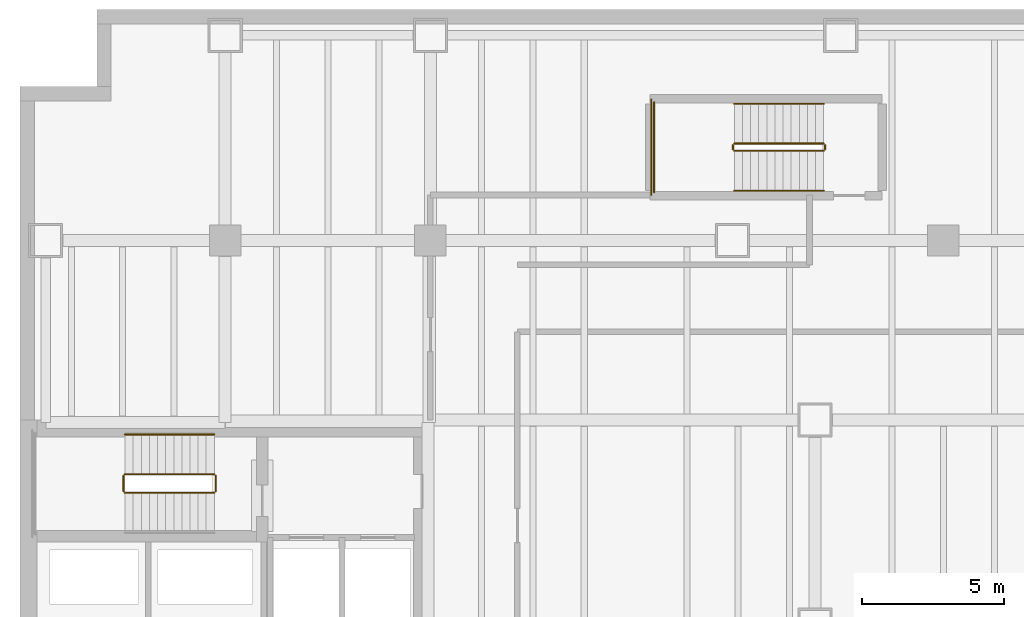
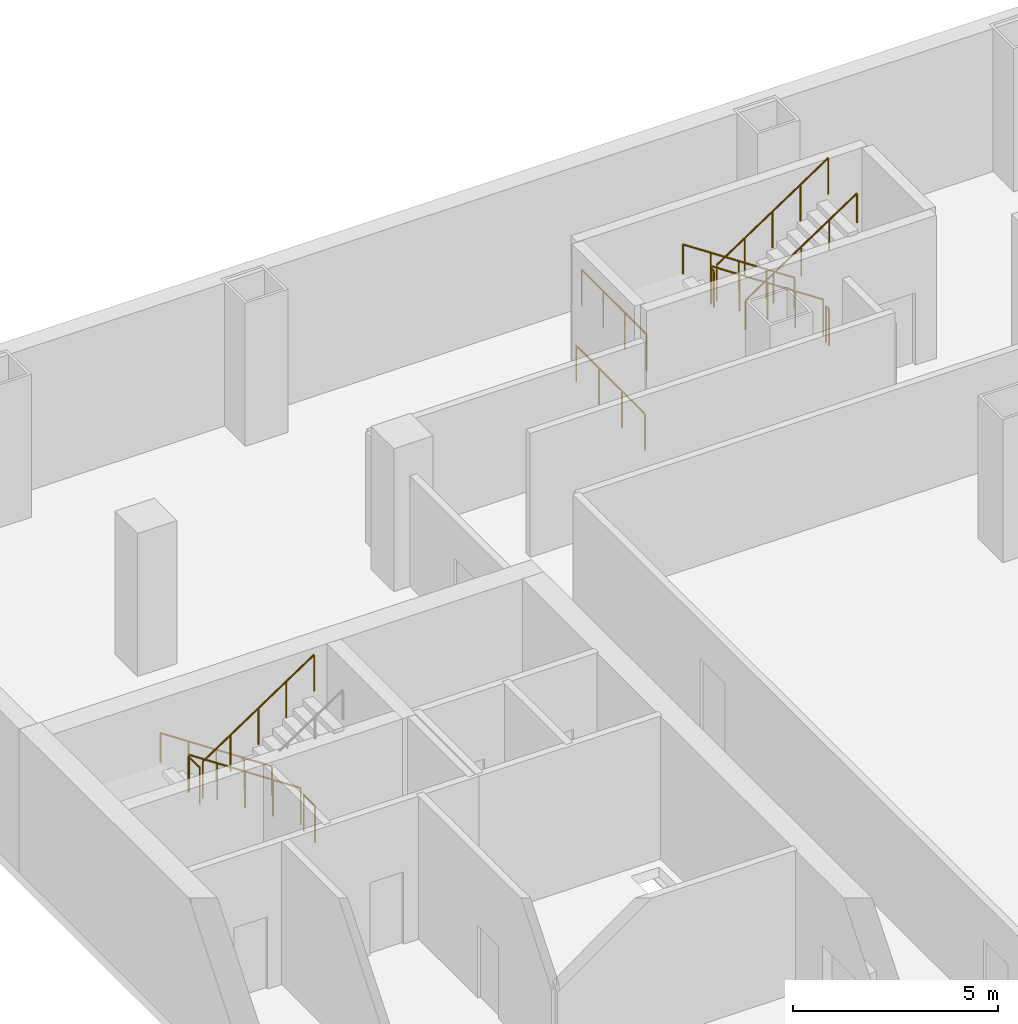
# One storey, part 11 of 11: 13 railings.
"""IFC4 building model written with IfcOpenShell, lengths in metres."""

import ifcopenshell
import ifcopenshell.guid

model = None  # the IFC model being written
_history = None  # IfcOwnerHistory: only IFC2X3 demands one
_inside = {}  # id of a spatial element -> (the spatial element, [elements in it])
_under = {}  # id of a project, library or spatial element -> (it, [spatial elements below it])
_declared = {}  # id of a project -> (the project, [libraries it declares])
_typed = {}  # id of a type object -> (the type object, [elements of that type])
_made_of = {}  # id of a material, layer set ... -> (it, [elements and type objects made of it])


def new_model(schema):
    """Start an empty IFC model of exactly this schema.

    Asked for "IFC4X3", IfcOpenShell would pick the latest addendum, in which some entities
    have other attributes; the version numbers below select the first issue.
    IFC2X3 requires an IfcOwnerHistory on every rooted entity: one is made here for all.
    """
    global model, _history
    if schema == "IFC4X3":
        model = ifcopenshell.file(schema_version=(4, 3, 0, 0))
    else:
        model = ifcopenshell.file(schema=schema)
    _inside.clear()
    _under.clear()
    _declared.clear()
    _typed.clear()
    _made_of.clear()
    _history = None
    if model.schema == "IFC2X3":
        org = make("IfcOrganization", Name="unknown")
        user = make(
            "IfcPersonAndOrganization",
            ThePerson=make("IfcPerson", FamilyName="unknown"),
            TheOrganization=org,
        )
        app = make(
            "IfcApplication",
            ApplicationDeveloper=org,
            Version="unknown",
            ApplicationFullName="unknown",
            ApplicationIdentifier="unknown",
        )
        _history = make(
            "IfcOwnerHistory",
            OwningUser=user,
            OwningApplication=app,
            ChangeAction="ADDED",
            CreationDate=0,
        )
    return model


def make(cls, **values):
    """One entity of the class cls with the attributes given. An attribute that is None is left unset."""
    return model.create_entity(
        cls, **{name: value for name, value in values.items() if value is not None}
    )


def rooted(cls, **values):
    """An entity with a GlobalId (a new one), such as an element, a storey or a relation."""
    return make(cls, GlobalId=ifcopenshell.guid.new(), OwnerHistory=_history, **values)


def si_unit(unit_type, name, prefix=None):
    """IfcSIUnit, for example si_unit("LENGTHUNIT", "METRE", prefix="MILLI")."""
    return make("IfcSIUnit", UnitType=unit_type, Prefix=prefix, Name=name)


def assignment(units):
    """IfcUnitAssignment: the units of a project."""
    return None if units is None else make("IfcUnitAssignment", Units=units)


def point(xyz):
    """IfcCartesianPoint."""
    return None if xyz is None else make("IfcCartesianPoint", Coordinates=xyz)


def direction(xyz):
    """IfcDirection."""
    return None if xyz is None else make("IfcDirection", DirectionRatios=xyz)


def frame(location, z_axis=None, x_axis=None):
    """IfcAxis2Placement3D, a coordinate frame: its origin and axes. An axis left out is left unset."""
    return make(
        "IfcAxis2Placement3D",
        Location=point(location),
        Axis=direction(z_axis),
        RefDirection=direction(x_axis),
    )


def frame_2d(location, x_axis=None):
    """IfcAxis2Placement2D, a coordinate frame in the plane: its origin and x axis."""
    return make(
        "IfcAxis2Placement2D", Location=point(location), RefDirection=direction(x_axis)
    )


def origin():
    """The frame at (0, 0, 0) with its axes left unset."""
    return frame((0.0, 0.0, 0.0))


def origin_2d():
    """The frame at (0, 0) in the plane with its x axis left unset."""
    return frame_2d((0.0, 0.0))


def place(relative_to, where):
    """IfcLocalPlacement: puts the frame where relative to a parent placement (None: the world)."""
    return make(
        "IfcLocalPlacement", PlacementRelTo=relative_to, RelativePlacement=where
    )


def context(
    kind, dimensions, precision=None, world=None, true_north=None, identifier=None
):
    """IfcGeometricRepresentationContext, for example the 3D "Model" context."""
    return make(
        "IfcGeometricRepresentationContext",
        ContextIdentifier=identifier,
        ContextType=kind,
        CoordinateSpaceDimension=dimensions,
        Precision=precision,
        WorldCoordinateSystem=world,
        TrueNorth=true_north,
    )


def subcontext(parent, identifier, kind, view, scale=None):
    """IfcGeometricRepresentationSubContext, for example "Body" below "Model"."""
    return make(
        "IfcGeometricRepresentationSubContext",
        ContextIdentifier=identifier,
        ContextType=kind,
        ParentContext=parent,
        TargetScale=scale,
        TargetView=view,
    )


def project(units=None, contexts=None):
    """IfcProject with its units and contexts."""
    return rooted(
        "IfcProject",
        Name="project",
        RepresentationContexts=contexts,
        UnitsInContext=assignment(units),
    )


def spatial(cls, under=None, at=None, **own):
    """A site, building, storey or space (cls), placed at a placement, below another one or the project."""
    s = rooted(cls, ObjectPlacement=at, **own)
    if under is not None:
        _under.setdefault(under.id(), (under, []))[1].append(s)
    return s


def profile(cls, at=None, kind="AREA", **sizes):
    """A parametric profile (cls). Its sizes go by their IFC names, for example OverallWidth=200.0."""
    return make(cls, ProfileType=kind, Position=at, **sizes)


def circle(**sizes):
    """IfcCircleProfileDef."""
    return profile("IfcCircleProfileDef", **sizes)


def extrude(swept, where, along, depth):
    """IfcExtrudedAreaSolid: the profile swept, set in the frame where, extruded along a direction by depth."""
    return make(
        "IfcExtrudedAreaSolid",
        SweptArea=swept,
        Position=where,
        ExtrudedDirection=direction(along),
        Depth=depth,
    )


def shape(context_of_items, identifier, shape_type, items):
    """IfcShapeRepresentation: the items that make up one representation, for example the "Body"."""
    return make(
        "IfcShapeRepresentation",
        ContextOfItems=context_of_items,
        RepresentationIdentifier=identifier,
        RepresentationType=shape_type,
        Items=items,
    )


def material(Name=None, Category=None):
    """IfcMaterial."""
    return make("IfcMaterial", Name=Name, Category=Category)


def made_of(thing, what):
    """Note that an element or type object is made of a material, layer set ...; save() writes the relation."""
    if what is not None:
        _made_of.setdefault(what.id(), (what, []))[1].append(thing)
    return thing


def type_object(cls, material=None, **own):
    """A type object (cls), such as IfcWallType, which elements share."""
    return made_of(rooted(cls, **own), material)


def element(
    cls,
    number,
    at=None,
    inside=None,
    cuts=None,
    type_object=None,
    material=None,
    context=None,
    identifier="Body",
    shape_type=None,
    held_by="IfcProductDefinitionShape",
    body=None,
    shapes=None,
    **own,
):
    """One element of the class cls, such as IfcWall. Its Tag is "e" and its number.

    at: its placement. inside: the storey or other place that contains it. cuts: it is an
    opening in that element (IfcRelVoidsElement). A single representation is given by context,
    identifier, shape_type and body (its items); several are given by shapes. held_by: the class
    of the entity that holds the representations. save() writes the other relations.
    """
    e = rooted(cls, Tag="e%d" % number, ObjectPlacement=at, **own)
    if body is not None:
        shapes = [shape(context, identifier, shape_type, body)]
    if shapes is not None:
        e.Representation = make(held_by, Representations=shapes)
    if inside is not None:
        _inside.setdefault(inside.id(), (inside, []))[1].append(e)
    if cuts is not None:
        rooted(
            "IfcRelVoidsElement", RelatingBuildingElement=cuts, RelatedOpeningElement=e
        )
    if type_object is not None:
        _typed.setdefault(type_object.id(), (type_object, []))[1].append(e)
    return made_of(e, material)


def aggregate(whole, parts):
    """IfcRelAggregates: a whole, such as a stair, and the parts it consists of."""
    return rooted("IfcRelAggregates", RelatingObject=whole, RelatedObjects=parts)


def save(model, path):
    """Write the relations noted so far, then the file.

    IfcRelAggregates (storeys below a building ...), IfcRelContainedInSpatialStructure (elements
    in a storey), IfcRelDefinesByType, IfcRelAssociatesMaterial and IfcRelDeclares: one each for
    every whole, place, type object, material and project.
    """
    for whole, parts in _under.values():
        aggregate(whole, parts)
    for where, things in _inside.values():
        rooted(
            "IfcRelContainedInSpatialStructure",
            RelatedElements=things,
            RelatingStructure=where,
        )
    for kind, things in _typed.values():
        rooted("IfcRelDefinesByType", RelatedObjects=things, RelatingType=kind)
    for what, things in _made_of.values():
        rooted("IfcRelAssociatesMaterial", RelatedObjects=things, RelatingMaterial=what)
    for by, libraries in _declared.values():
        rooted("IfcRelDeclares", RelatingContext=by, RelatedDefinitions=libraries)
    model.write(path)


model = new_model("IFC4")

# Units and contexts
model_context = context("Model", 3, precision=1e-05, world=origin(), true_north=direction((0.0, 1.0)))
body_context = subcontext(model_context, "Body", "Model", "MODEL_VIEW")
ifc_project = project(units=[si_unit("LENGTHUNIT", "METRE"), si_unit("AREAUNIT", "SQUARE_METRE"), si_unit("VOLUMEUNIT", "CUBIC_METRE"), si_unit("PLANEANGLEUNIT", "RADIAN"), si_unit("MASSUNIT", "GRAM", prefix="KILO")], contexts=[model_context])

# Site, building, storey
site_placement = place(None, origin())
site = spatial("IfcSite", under=ifc_project, at=site_placement, CompositionType="ELEMENT")
building_placement = place(site_placement, origin())
building = spatial("IfcBuilding", under=site, at=building_placement, Name="Cobrela Telecom Tower", CompositionType="ELEMENT")
storey_placement = place(building_placement, frame((0.0, 0.0, -4.550048828125)))
storey = spatial("IfcBuildingStorey", under=building, at=storey_placement, Name="B1", CompositionType="ELEMENT", Elevation=-4.550048828125)

# Railings
ifc_material = material(Name="Steel ASTM A36", Category="steel")
railing_type_1 = type_object("IfcRailingType", Name="RAIL-GUARD-1100", PredefinedType="GUARDRAIL", material=ifc_material)
railing_1_placement = place(storey_placement, frame((6.820068359375, 34.10009765625, 0.189697265625)))
element("IfcRailing", 1, at=railing_1_placement, inside=storey, type_object=railing_type_1, Name="B1 ST1 stair guard 1", PredefinedType="GUARDRAIL", context=body_context, shape_type="SweptSolid", body=[
    extrude(circle(Radius=0.02392578125, at=origin_2d()), frame((0.0, 0.0, 1.076171875), z_axis=(-0.832608492644, 0.0, 0.553861984593), x_axis=(0.0, -1.0, 0.0)), (0.0, 0.0, 1.0), 3.765380859375),
    extrude(circle(Radius=0.02099609375, at=origin_2d()), origin(), (0.0, 0.0, 1.0), 1.052001953125),
    extrude(circle(Radius=0.02099609375, at=origin_2d()), frame((-0.78369140625, 0.0, 0.521484375)), (0.0, 0.0, 1.0), 1.052001953125),
    extrude(circle(Radius=0.02099609375, at=origin_2d()), frame((-1.5673828125, 0.0, 1.042724609375)), (0.0, 0.0, 1.0), 1.052001953125),
    extrude(circle(Radius=0.02099609375, at=origin_2d()), frame((-2.351318359375, 0.0, 1.56396484375)), (0.0, 0.0, 1.0), 1.052001953125),
    extrude(circle(Radius=0.02099609375, at=origin_2d()), frame((-3.135009765625, 0.0, 2.08544921875)), (0.0, 0.0, 1.0), 1.052001953125),
])
railing_2_placement = place(storey_placement, frame((3.635009765625, 34.050048828125, 2.275146484375)))
element("IfcRailing", 2, at=railing_2_placement, inside=storey, type_object=railing_type_1, Name="B1 ST1 stair guard 2", PredefinedType="GUARDRAIL", context=body_context, shape_type="SweptSolid", body=[
    extrude(circle(Radius=0.02392578125, at=origin_2d()), frame((0.0, 0.0, 1.076171875), z_axis=(0.0, -1.0, 0.0), x_axis=(1.0, 0.0, 0.0)), (0.0, 0.0, 1.0), 0.550048828125),
    extrude(circle(Radius=0.02099609375, at=origin_2d()), origin(), (0.0, 0.0, 1.0), 1.052001953125),
    extrude(circle(Radius=0.02099609375, at=origin_2d()), frame((0.0, -0.550048828125, 0.0)), (0.0, 0.0, 1.0), 1.052001953125),
])
railing_3_placement = place(storey_placement, frame((3.68505859375, 33.449951171875, 2.464599609375)))
element("IfcRailing", 3, at=railing_3_placement, inside=storey, type_object=railing_type_1, Name="B1 ST1 stair guard 4", PredefinedType="GUARDRAIL", context=body_context, shape_type="SweptSolid", body=[
    extrude(circle(Radius=0.02392578125, at=origin_2d()), frame((0.0, 0.0, 1.076171875), z_axis=(0.832608492644, 0.0, 0.553861984593), x_axis=(0.0, 1.0, 0.0)), (0.0, 0.0, 1.0), 3.765380859375),
    extrude(circle(Radius=0.02099609375, at=origin_2d()), origin(), (0.0, 0.0, 1.0), 1.052001953125),
    extrude(circle(Radius=0.02099609375, at=origin_2d()), frame((0.78369140625, 0.0, 0.521484375)), (0.0, 0.0, 1.0), 1.052001953125),
    extrude(circle(Radius=0.02099609375, at=origin_2d()), frame((1.5673828125, 0.0, 1.042724609375)), (0.0, 0.0, 1.0), 1.052001953125),
    extrude(circle(Radius=0.02099609375, at=origin_2d()), frame((2.351318359375, 0.0, 1.56396484375)), (0.0, 0.0, 1.0), 1.052001953125),
    extrude(circle(Radius=0.02099609375, at=origin_2d()), frame((3.135009765625, 0.0, 2.08544921875)), (0.0, 0.0, 1.0), 1.052001953125),
])
railing_4_placement = place(storey_placement, frame((6.8701171875, 34.050048828125, 0.0)))
element("IfcRailing", 4, at=railing_4_placement, inside=storey, type_object=railing_type_1, Name="B1 ST1 stair guard 5", PredefinedType="GUARDRAIL", context=body_context, shape_type="SweptSolid", body=[
    extrude(circle(Radius=0.02392578125, at=origin_2d()), frame((0.0, 0.0, 1.076171875), z_axis=(0.0, -1.0, 0.0), x_axis=(1.0, 0.0, 0.0)), (0.0, 0.0, 1.0), 0.550048828125),
    extrude(circle(Radius=0.02099609375, at=origin_2d()), origin(), (0.0, 0.0, 1.0), 1.052001953125),
    extrude(circle(Radius=0.02099609375, at=origin_2d()), frame((0.0, -0.550048828125, 0.0)), (0.0, 0.0, 1.0), 1.052001953125),
])
railing_5_placement = place(storey_placement, frame((28.199951171875, 45.699951171875, 0.189697265625)))
element("IfcRailing", 5, at=railing_5_placement, inside=storey, type_object=railing_type_1, Name="B1 ST3 stair guard 1", PredefinedType="GUARDRAIL", context=body_context, shape_type="SweptSolid", body=[
    extrude(circle(Radius=0.02392578125, at=origin_2d()), frame((0.0, 0.0, 1.076171875), z_axis=(-0.832608492644, 0.0, 0.553861984593), x_axis=(0.0, -1.0, 0.0)), (0.0, 0.0, 1.0), 3.765380859375),
    extrude(circle(Radius=0.02099609375, at=origin_2d()), origin(), (0.0, 0.0, 1.0), 1.052001953125),
    extrude(circle(Radius=0.02099609375, at=origin_2d()), frame((-0.78369140625, 0.0, 0.521484375)), (0.0, 0.0, 1.0), 1.052001953125),
    extrude(circle(Radius=0.02099609375, at=origin_2d()), frame((-1.5673828125, 0.0, 1.042724609375)), (0.0, 0.0, 1.0), 1.052001953125),
    extrude(circle(Radius=0.02099609375, at=origin_2d()), frame((-2.351318359375, 0.0, 1.56396484375)), (0.0, 0.0, 1.0), 1.052001953125),
    extrude(circle(Radius=0.02099609375, at=origin_2d()), frame((-3.135009765625, 0.0, 2.08544921875)), (0.0, 0.0, 1.0), 1.052001953125),
])
railing_6_placement = place(storey_placement, frame((25.014892578125, 45.64990234375, 2.275146484375)))
element("IfcRailing", 6, at=railing_6_placement, inside=storey, type_object=railing_type_1, Name="B1 ST3 stair guard 2", PredefinedType="GUARDRAIL", context=body_context, shape_type="SweptSolid", body=[
    extrude(circle(Radius=0.02392578125, at=origin_2d()), frame((0.0, 0.0, 1.076171875), z_axis=(0.0, -1.0, 0.0), x_axis=(1.0, 0.0, 0.0)), (0.0, 0.0, 1.0), 0.14990234375),
    extrude(circle(Radius=0.02099609375, at=origin_2d()), origin(), (0.0, 0.0, 1.0), 1.052001953125),
    extrude(circle(Radius=0.02099609375, at=origin_2d()), frame((0.0, -0.14990234375, 0.0)), (0.0, 0.0, 1.0), 1.052001953125),
])
railing_7_placement = place(storey_placement, frame((22.25, 47.14990234375, 2.275146484375)))
element("IfcRailing", 7, at=railing_7_placement, inside=storey, type_object=railing_type_1, Name="B1 ST3 stair guard 3", PredefinedType="GUARDRAIL", context=body_context, shape_type="SweptSolid", body=[
    extrude(circle(Radius=0.02392578125, at=origin_2d()), frame((0.0, 0.0, 1.076171875), z_axis=(0.0, -1.0, 0.0), x_axis=(1.0, 0.0, 0.0)), (0.0, 0.0, 1.0), 3.14990234375),
    extrude(circle(Radius=0.02099609375, at=origin_2d()), origin(), (0.0, 0.0, 1.0), 1.052001953125),
    extrude(circle(Radius=0.02099609375, at=origin_2d()), frame((0.0, -1.050048828125, 0.0)), (0.0, 0.0, 1.0), 1.052001953125),
    extrude(circle(Radius=0.02099609375, at=origin_2d()), frame((0.0, -2.099853515625, 0.0)), (0.0, 0.0, 1.0), 1.052001953125),
    extrude(circle(Radius=0.02099609375, at=origin_2d()), frame((0.0, -3.14990234375, 0.0)), (0.0, 0.0, 1.0), 1.052001953125),
])
railing_8_placement = place(storey_placement, frame((25.06494140625, 45.449951171875, 2.464599609375)))
element("IfcRailing", 8, at=railing_8_placement, inside=storey, type_object=railing_type_1, Name="B1 ST3 stair guard 4", PredefinedType="GUARDRAIL", context=body_context, shape_type="SweptSolid", body=[
    extrude(circle(Radius=0.02392578125, at=origin_2d()), frame((0.0, 0.0, 1.076171875), z_axis=(0.832608492644, 0.0, 0.553861984593), x_axis=(0.0, 1.0, 0.0)), (0.0, 0.0, 1.0), 3.765380859375),
    extrude(circle(Radius=0.02099609375, at=origin_2d()), origin(), (0.0, 0.0, 1.0), 1.052001953125),
    extrude(circle(Radius=0.02099609375, at=origin_2d()), frame((0.78369140625, 0.0, 0.521484375)), (0.0, 0.0, 1.0), 1.052001953125),
    extrude(circle(Radius=0.02099609375, at=origin_2d()), frame((1.5673828125, 0.0, 1.042724609375)), (0.0, 0.0, 1.0), 1.052001953125),
    extrude(circle(Radius=0.02099609375, at=origin_2d()), frame((2.351318359375, 0.0, 1.56396484375)), (0.0, 0.0, 1.0), 1.052001953125),
    extrude(circle(Radius=0.02099609375, at=origin_2d()), frame((3.135009765625, 0.0, 2.08544921875)), (0.0, 0.0, 1.0), 1.052001953125),
])
railing_9_placement = place(storey_placement, frame((28.25, 45.64990234375, 0.0)))
element("IfcRailing", 9, at=railing_9_placement, inside=storey, type_object=railing_type_1, Name="B1 ST3 stair guard 5", PredefinedType="GUARDRAIL", context=body_context, shape_type="SweptSolid", body=[
    extrude(circle(Radius=0.02392578125, at=origin_2d()), frame((0.0, 0.0, 1.076171875), z_axis=(0.0, -1.0, 0.0), x_axis=(1.0, 0.0, 0.0)), (0.0, 0.0, 1.0), 0.14990234375),
    extrude(circle(Radius=0.02099609375, at=origin_2d()), origin(), (0.0, 0.0, 1.0), 1.052001953125),
    extrude(circle(Radius=0.02099609375, at=origin_2d()), frame((0.0, -0.14990234375, 0.0)), (0.0, 0.0, 1.0), 1.052001953125),
])
railing_10_placement = place(storey_placement, frame((22.14990234375, 47.25, 0.0)))
element("IfcRailing", 10, at=railing_10_placement, inside=storey, type_object=railing_type_1, Name="B1 ST3 stair guard 6", PredefinedType="GUARDRAIL", context=body_context, shape_type="SweptSolid", body=[
    extrude(circle(Radius=0.02392578125, at=origin_2d()), frame((0.0, 0.0, 1.076171875), z_axis=(0.0, -1.0, 0.0), x_axis=(1.0, 0.0, 0.0)), (0.0, 0.0, 1.0), 3.35009765625),
    extrude(circle(Radius=0.02099609375, at=origin_2d()), origin(), (0.0, 0.0, 1.0), 1.052001953125),
    extrude(circle(Radius=0.02099609375, at=origin_2d()), frame((0.0, -1.11669921875, 0.0)), (0.0, 0.0, 1.0), 1.052001953125),
    extrude(circle(Radius=0.02099609375, at=origin_2d()), frame((0.0, -2.2333984375, 0.0)), (0.0, 0.0, 1.0), 1.052001953125),
    extrude(circle(Radius=0.02099609375, at=origin_2d()), frame((0.0, -3.35009765625, 0.0)), (0.0, 0.0, 1.0), 1.052001953125),
])
railing_type_2 = type_object("IfcRailingType", Name="RAIL-HAND-920", PredefinedType="HANDRAIL", material=ifc_material)
for number, where, name in (
    (11, (6.820068359375, 35.5, 0.189697265625), "B1 ST1 stair handrail 1"),
    (12, (28.199951171875, 47.10009765625, 0.189697265625), "B1 ST3 stair handrail 1"),
):
    element("IfcRailing", number, at=place(storey_placement, frame(where)), inside=storey, type_object=railing_type_2, Name=name, PredefinedType="HANDRAIL", context=body_context, shape_type="SweptSolid", body=[
        extrude(circle(Radius=0.02392578125, at=origin_2d()), frame((0.0, 0.0, 0.8759765625), z_axis=(-0.832608492644, 0.0, 0.553861984593), x_axis=(0.0, -1.0, 0.0)), (0.0, 0.0, 1.0), 3.765380859375),
        extrude(circle(Radius=0.02099609375, at=origin_2d()), origin(), (0.0, 0.0, 1.0), 0.851806640625),
        extrude(circle(Radius=0.02099609375, at=origin_2d()), frame((-0.78369140625, 0.0, 0.521484375)), (0.0, 0.0, 1.0), 0.851806640625),
        extrude(circle(Radius=0.02099609375, at=origin_2d()), frame((-1.5673828125, 0.0, 1.042724609375)), (0.0, 0.0, 1.0), 0.851806640625),
        extrude(circle(Radius=0.02099609375, at=origin_2d()), frame((-2.351318359375, 0.0, 1.56396484375)), (0.0, 0.0, 1.0), 0.851806640625),
        extrude(circle(Radius=0.02099609375, at=origin_2d()), frame((-3.135009765625, 0.0, 2.08544921875)), (0.0, 0.0, 1.0), 0.851806640625),
    ])
railing_11_placement = place(storey_placement, frame((25.06494140625, 44.050048828125, 2.464599609375)))
element("IfcRailing", 13, at=railing_11_placement, inside=storey, type_object=railing_type_2, Name="B1 ST3 stair handrail 2", PredefinedType="HANDRAIL", context=body_context, shape_type="SweptSolid", body=[
    extrude(circle(Radius=0.02392578125, at=origin_2d()), frame((0.0, 0.0, 0.8759765625), z_axis=(0.832608492644, 0.0, 0.553861984593), x_axis=(0.0, 1.0, 0.0)), (0.0, 0.0, 1.0), 3.765380859375),
    extrude(circle(Radius=0.02099609375, at=origin_2d()), origin(), (0.0, 0.0, 1.0), 0.851806640625),
    extrude(circle(Radius=0.02099609375, at=origin_2d()), frame((0.78369140625, 0.0, 0.521484375)), (0.0, 0.0, 1.0), 0.851806640625),
    extrude(circle(Radius=0.02099609375, at=origin_2d()), frame((1.5673828125, 0.0, 1.042724609375)), (0.0, 0.0, 1.0), 0.851806640625),
    extrude(circle(Radius=0.02099609375, at=origin_2d()), frame((2.351318359375, 0.0, 1.56396484375)), (0.0, 0.0, 1.0), 0.851806640625),
    extrude(circle(Radius=0.02099609375, at=origin_2d()), frame((3.135009765625, 0.0, 2.08544921875)), (0.0, 0.0, 1.0), 0.851806640625),
])

save(model, "model.ifc")
